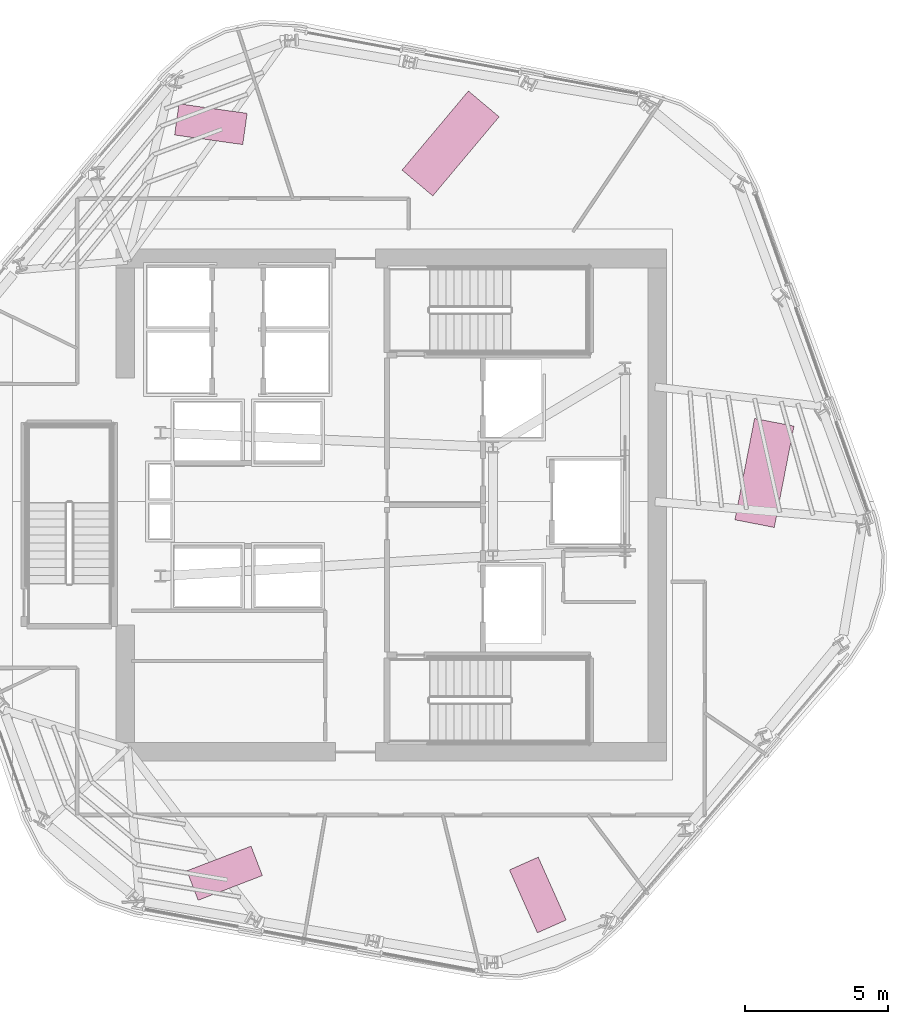
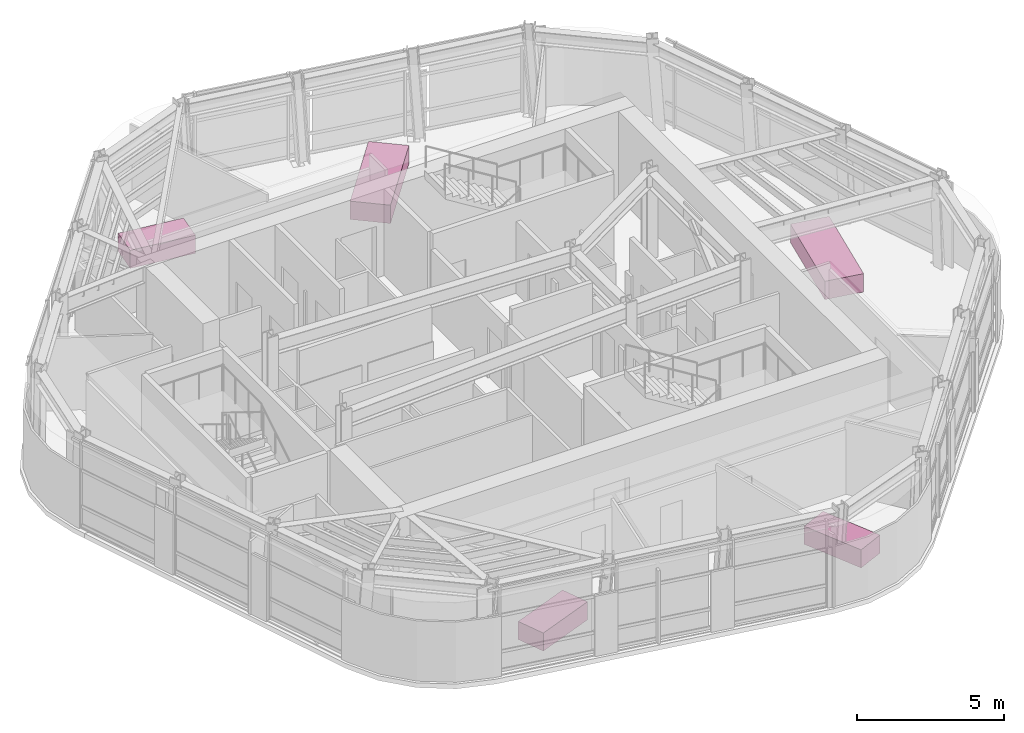
# One storey, part 12 of 12: 5 furniture elements.
"""IFC4 building model written with IfcOpenShell, lengths in metres."""

from ifc_helpers import new_model, si_unit, direction, frame, origin, origin_2d, place, context, subcontext, project, spatial, rectangle, extrude, material, type_object, element, save


model = new_model("IFC4")

# Units and contexts
model_context = context("Model", 3, precision=1e-05, world=origin(), true_north=direction((0.0, 1.0)))
body_context = subcontext(model_context, "Body", "Model", "MODEL_VIEW")
ifc_project = project(units=[si_unit("LENGTHUNIT", "METRE"), si_unit("AREAUNIT", "SQUARE_METRE"), si_unit("VOLUMEUNIT", "CUBIC_METRE"), si_unit("PLANEANGLEUNIT", "RADIAN"), si_unit("MASSUNIT", "GRAM", prefix="KILO")], contexts=[model_context])

# Site, building, storey
site_placement = place(None, origin())
site = spatial("IfcSite", under=ifc_project, at=site_placement, CompositionType="ELEMENT")
building_placement = place(site_placement, origin())
building = spatial("IfcBuilding", under=site, at=building_placement, Name="Valkerne Bourse Tower", CompositionType="ELEMENT")
storey_placement = place(building_placement, frame((0.0, 0.0, 236.0)))
storey = spatial("IfcBuildingStorey", under=building, at=storey_placement, Name="L60", CompositionType="ELEMENT", Elevation=236.0)

# Furniture
ifc_material = material(Name="Architectural White Oak Timber", Category="wood")
furniture_type_1 = type_object("IfcFurnitureType", Name="FURN-CONF-3600", AssemblyPlace="NOTDEFINED", PredefinedType="TABLE", material=ifc_material)
for number, where, z_axis, x_axis, name in (
    (1, (48.868896484375, 39.486083984375, 0.044921875), (0.0, 0.0, 1.0), (0.642787609687, 0.766044443119, 0.0), "L60 Suite Worktable 10"),
    (2, (59.81103515625, 27.998046875, 0.044921875), (0.0, 0.0, 1.0), (0.190808995377, 0.981627183448, 0.0), "L60 Suite Worktable 11"),
):
    element("IfcFurniture", number, at=place(storey_placement, frame(where, z_axis=z_axis, x_axis=x_axis)), inside=storey, type_object=furniture_type_1, Name=name, PredefinedType="TABLE", context=body_context, shape_type="SweptSolid", body=[
        extrude(rectangle(XDim=3.60009765625, YDim=1.39990234375, at=origin_2d()), origin(), (0.0, 0.0, 1.0), 0.760009765625),
    ])
furniture_type_2 = type_object("IfcFurnitureType", Name="FURN-DESK-2400", AssemblyPlace="NOTDEFINED", PredefinedType="DESK", material=ifc_material)
for number, where, z_axis, x_axis, name in (
    (3, (51.909912109375, 13.283935546875, 0.044921875), (0.0, 0.0, 1.0), (-0.406736643076, 0.913545457643, 0.0), "L60 Suite Worktable 06"),
    (4, (40.510986328125, 40.157958984375, 0.044921875), (0.0, 0.0, 1.0), (-0.990268068742, 0.13917310096, 0.0), "L60 Suite Worktable 08"),
    (5, (40.989990234375, 14.04296875, 0.044921875), (0.0, 0.0, 1.0), (0.933580426497, 0.358367949545, 0.0), "L60 Suite Worktable 09"),
):
    element("IfcFurniture", number, at=place(storey_placement, frame(where, z_axis=z_axis, x_axis=x_axis)), inside=storey, type_object=furniture_type_2, Name=name, PredefinedType="DESK", context=body_context, shape_type="SweptSolid", body=[
        extrude(rectangle(XDim=2.39990234375, YDim=1.10009765625, at=origin_2d()), origin(), (0.0, 0.0, 1.0), 0.75),
    ])

save(model, "model.ifc")
